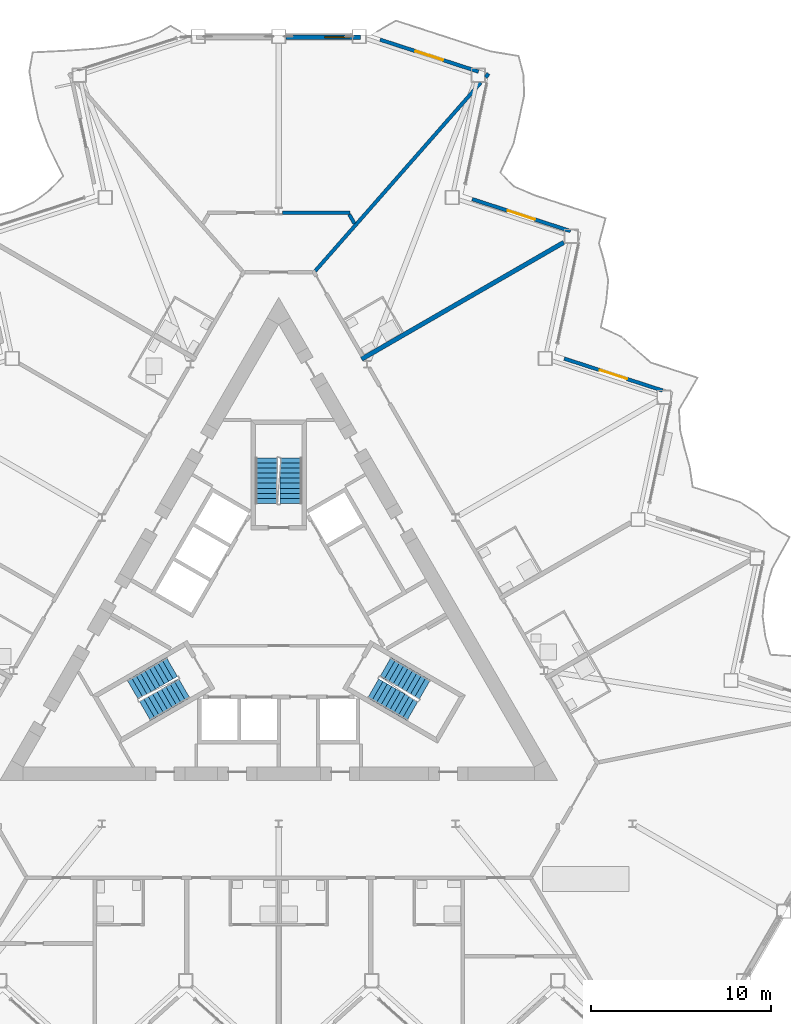
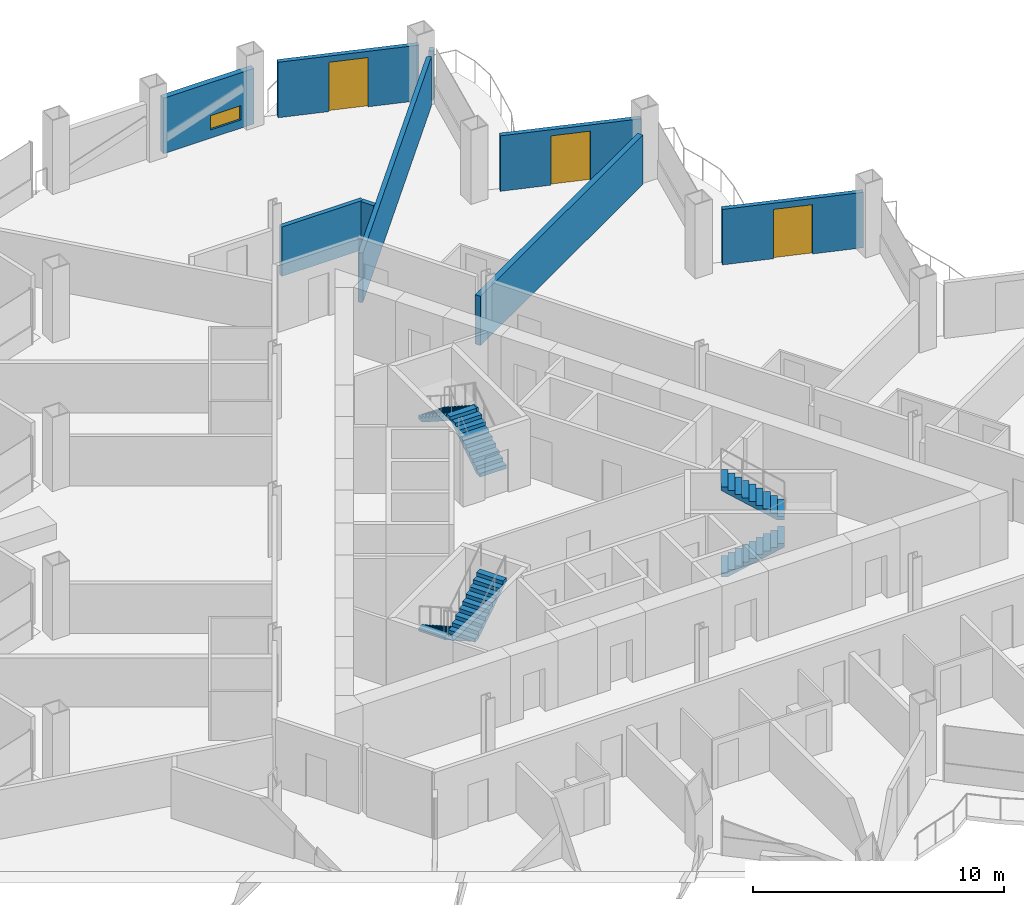
# One storey, part 15 of 23: 9 walls, 6 stair flights, 3 doors, 1 window, 4 openings, 3 elements without a shape of their own.
"""IFC4 building model written with IfcOpenShell, lengths in metres."""

from ifc_helpers import new_model, si_unit, direction, frame, frame_2d, origin, place, context, subcontext, project, spatial, polyline, rectangle, outline, extrude, material, layer, layer_set, type_object, element, fill, aggregate, save


model = new_model("IFC4")

# Units and contexts
model_context = context("Model", 3, precision=1e-05, world=origin(), true_north=direction((0.0, 1.0)))
body_context = subcontext(model_context, "Body", "Model", "MODEL_VIEW")
ifc_project = project(units=[si_unit("LENGTHUNIT", "METRE"), si_unit("AREAUNIT", "SQUARE_METRE"), si_unit("VOLUMEUNIT", "CUBIC_METRE"), si_unit("PLANEANGLEUNIT", "RADIAN"), si_unit("MASSUNIT", "GRAM", prefix="KILO")], contexts=[model_context])

# Site, building, storey
site_placement = place(None, origin())
site = spatial("IfcSite", under=ifc_project, at=site_placement, CompositionType="ELEMENT")
building_placement = place(site_placement, origin())
building = spatial("IfcBuilding", under=site, at=building_placement, Name="Cormorant Prow Tower", CompositionType="ELEMENT")
storey_placement = place(building_placement, frame((0.0, 0.0, 172.800048828125)))
storey = spatial("IfcBuildingStorey", under=building, at=storey_placement, Name="L36", CompositionType="ELEMENT", Elevation=172.800048828125)

# Walls
ifc_material_1 = material(Name="Gypsum board demising wall")
ifc_layer_1 = layer(ifc_material_1, 0.199951171875)
ifc_layer_set_1 = layer_set([ifc_layer_1], Name="Gypsum board demising wall")
wall_type_1 = type_object("IfcWallType", Name="Demising wall 200", PredefinedType="PARTITIONING", material=ifc_layer_set_1)
wall_1_placement = place(storey_placement, frame((2.029052734375, 19.372802734375, 0.0), z_axis=(0.0, 0.0, 1.0), x_axis=(0.66019067586, 0.751098043871, 0.0)))
element("IfcWall", 1, at=wall_1_placement, inside=storey, type_object=wall_type_1, Name="Demising wall", PredefinedType="PARTITIONING", context=body_context, shape_type="SweptSolid", body=[
    extrude(rectangle(XDim=13.938232421875, YDim=0.199951171875, at=frame_2d((6.96923828125, 0.0))), origin(), (0.0, 0.0, 1.0), 2.404052734375),
])
wall_2_placement = place(storey_placement, frame((0.213623046875, 22.597900390625, 0.0), z_axis=(0.0, 0.0, 1.0), x_axis=(1.0, 0.0, 0.0)))
element("IfcWall", 2, at=wall_2_placement, inside=storey, type_object=wall_type_1, Name="Demising wall", PredefinedType="PARTITIONING", context=body_context, shape_type="SweptSolid", body=[
    extrude(rectangle(XDim=3.754638671875, YDim=0.199951171875, at=frame_2d((1.87744140625, 0.0))), origin(), (0.0, 0.0, 1.0), 2.404052734375),
])
wall_3_placement = place(storey_placement, frame((3.918212890625, 22.51123046875, 0.0), z_axis=(0.0, 0.0, 1.0), x_axis=(0.500105011351, -0.865964766963, 0.0)))
element("IfcWall", 3, at=wall_3_placement, inside=storey, type_object=wall_type_1, Name="Demising wall", PredefinedType="PARTITIONING", context=body_context, shape_type="SweptSolid", body=[
    extrude(rectangle(XDim=0.589111328125, YDim=0.199951171875, at=frame_2d((0.29443359375, 0.0))), origin(), (0.0, 0.0, 1.0), 2.404052734375),
])
wall_4_placement = place(storey_placement, frame((11.489990234375, 30.13671875, 0.0), z_axis=(0.0, 0.0, 1.0), x_axis=(0.660272933047, 0.751025734503, 0.0)))
element("IfcWall", 4, at=wall_4_placement, inside=storey, type_object=wall_type_1, Name="Demising wall", PredefinedType="PARTITIONING", context=body_context, shape_type="SweptSolid", body=[
    extrude(rectangle(XDim=0.263671875, YDim=0.199951171875, at=frame_2d((0.1318359375, 0.0))), origin(), (0.0, 0.0, 1.0), 2.404052734375),
])
ifc_material_2 = material(Name="Acoustic gypsum party wall")
ifc_layer_2 = layer(ifc_material_2, 0.25)
ifc_layer_set_2 = layer_set([ifc_layer_2], Name="Acoustic gypsum party wall")
wall_type_2 = type_object("IfcWallType", Name="Suite party wall 250", PredefinedType="PARTITIONING", material=ifc_layer_set_2)
wall_5_placement = place(storey_placement, frame((4.6044921875, 14.47265625, 0.0), z_axis=(0.0, 0.0, 1.0), x_axis=(0.866029765546, 0.499992445131, 0.0)))
element("IfcWall", 5, at=wall_5_placement, inside=storey, type_object=wall_type_2, Name="Suite party wall", PredefinedType="PARTITIONING", context=body_context, shape_type="SweptSolid", body=[
    extrude(rectangle(XDim=12.967529296875, YDim=0.25, at=frame_2d((6.48388671875, 0.0))), origin(), (0.0, 0.0, 1.0), 2.404052734375),
])

# Wall, opening, window
ifc_material_3 = material(Name="Terracotta", Category="masonry")
ifc_layer_3 = layer(ifc_material_3, 0.25)
ifc_layer_set_3 = layer_set([ifc_layer_3], Name="Terracotta")
wall_type_3 = type_object("IfcWallType", Name="Terracotta bay wall 250", PredefinedType="SOLIDWALL", material=ifc_layer_set_3)
wall_6_placement = place(storey_placement, frame((4.555908203125, 32.368896484375, 0.0), z_axis=(0.0, 0.0, 1.0), x_axis=(-1.0, 0.0, 0.0)))
wall_6 = element("IfcWall", 6, at=wall_6_placement, inside=storey, type_object=wall_type_3, Name="Terracotta bay wall N00", PredefinedType="SOLIDWALL", context=body_context, shape_type="SweptSolid", body=[
    extrude(rectangle(XDim=4.156005859375, YDim=0.25, at=frame_2d((2.078125, 0.0))), origin(), (0.0, 0.0, 1.0), 2.700927734375),
])
opening_1_placement = place(wall_6_placement, frame((0.60009765625, 0.0, 0.39990234375)))
opening_1 = element("IfcOpeningElement", 7, at=opening_1_placement, cuts=wall_6, Name="Opening WN4", PredefinedType="OPENING", context=body_context, shape_type="SweptSolid", body=[
    extrude(rectangle(XDim=1.39990234375, YDim=0.699951171875, at=frame_2d((0.699951171875, 0.35009765625))), frame((0.0, 0.135009765625, 0.0), z_axis=(0.0, -1.0, 0.0), x_axis=(1.0, 0.0, 0.0)), (0.0, 0.0, 1.0), 0.27001953125),
])
ifc_material_4 = material(Name="Aluminium 6063-T6", Category="aluminium")
window_type = type_object("IfcWindowType", Name="Corner bay window 1400x700", PartitioningType="SINGLE_PANEL", PredefinedType="WINDOW", material=ifc_material_4)
window_placement = place(opening_1_placement, origin())
window = element("IfcWindow", 8, at=window_placement, inside=storey, type_object=window_type, Name="Corner bay window N00", OverallHeight=0.699951171875, OverallWidth=1.39990234375, PartitioningType="SINGLE_PANEL", PredefinedType="WINDOW", context=body_context, shape_type="SweptSolid", body=[
    extrude(rectangle(XDim=1.39990234375, YDim=0.699951171875, at=frame_2d((0.699951171875, 0.35009765625))), frame((0.0, 0.030029296875, 0.0), z_axis=(0.0, -1.0, 0.0), x_axis=(1.0, 0.0, 0.0)), (0.0, 0.0, 1.0), 0.06005859375),
])
fill(opening_1, window)

# Wall, opening, door
ifc_material_5 = material(Name="Terracotta", Category="masonry")
ifc_layer_4 = layer(ifc_material_5, 0.199951171875)
ifc_layer_set_4 = layer_set([ifc_layer_4], Name="Terracotta")
wall_type_4 = type_object("IfcWallType", Name="Terracotta jamb wall 200", PredefinedType="SOLIDWALL", material=ifc_layer_set_4)
wall_7_placement = place(storey_placement, frame((21.331298828125, 12.725830078125, 0.0), z_axis=(0.0, 0.0, 1.0), x_axis=(-0.95105997304, 0.309006355405, 0.0)))
wall_7 = element("IfcWall", 9, at=wall_7_placement, inside=storey, type_object=wall_type_4, Name="Terracotta jamb wall ENE05", PredefinedType="SOLIDWALL", context=body_context, shape_type="SweptSolid", body=[
    extrude(rectangle(XDim=5.747802734375, YDim=0.199951171875, at=frame_2d((2.8740234375, 0.0))), origin(), (0.0, 0.0, 1.0), 2.700927734375),
])
opening_2_placement = place(wall_7_placement, frame((2.073974609375, 0.0, 0.0)))
opening_2 = element("IfcOpeningElement", 10, at=opening_2_placement, cuts=wall_7, Name="Opening ED36.08", PredefinedType="OPENING", context=body_context, shape_type="SweptSolid", body=[
    extrude(rectangle(XDim=1.60009765625, YDim=2.39990234375, at=frame_2d((0.800048828125, 1.199951171875))), frame((0.0, 0.10986328125, 0.0), z_axis=(0.0, -1.0, 0.0), x_axis=(1.0, 0.0, 0.0)), (0.0, 0.0, 1.0), 0.219970703125),
])
ifc_material_6 = material(Name="Aluminium 6063-T6", Category="aluminium")
door_type = type_object("IfcDoorType", Name="Balcony door 1600x2400", OperationType="DOUBLE_DOOR_SINGLE_SWING", PredefinedType="DOOR", material=ifc_material_6)
door_1_placement = place(opening_2_placement, origin())
door_1 = element("IfcDoor", 11, at=door_1_placement, inside=storey, type_object=door_type, Name="Balcony door ENE05 ED36.08", OperationType="DOUBLE_DOOR_SINGLE_SWING", OverallHeight=2.39990234375, OverallWidth=1.60009765625, PredefinedType="DOOR", context=body_context, shape_type="SweptSolid", body=[
    extrude(rectangle(XDim=1.60009765625, YDim=2.39990234375, at=frame_2d((0.800048828125, 1.199951171875))), frame((0.0, 0.02490234375, 0.0), z_axis=(0.0, -1.0, 0.0), x_axis=(1.0, 0.0, 0.0)), (0.0, 0.0, 1.0), 0.050048828125),
])
fill(opening_2, door_1)

wall_8_placement = place(storey_placement, frame((16.215576171875, 21.58642578125, 0.0), z_axis=(0.0, 0.0, 1.0), x_axis=(-0.95105997304, 0.309006355405, 0.0)))
wall_8 = element("IfcWall", 12, at=wall_8_placement, inside=storey, type_object=wall_type_4, Name="Terracotta jamb wall ENE07", PredefinedType="SOLIDWALL", context=body_context, shape_type="SweptSolid", body=[
    extrude(rectangle(XDim=5.747802734375, YDim=0.199951171875, at=frame_2d((2.8740234375, 0.0))), origin(), (0.0, 0.0, 1.0), 2.700927734375),
])
opening_3_placement = place(wall_8_placement, frame((2.073974609375, 0.0, 0.0)))
opening_3 = element("IfcOpeningElement", 13, at=opening_3_placement, cuts=wall_8, Name="Opening ED36.09", PredefinedType="OPENING", context=body_context, shape_type="SweptSolid", body=[
    extrude(rectangle(XDim=1.60009765625, YDim=2.39990234375, at=frame_2d((0.800048828125, 1.199951171875))), frame((0.0, 0.10986328125, 0.0), z_axis=(0.0, -1.0, 0.0), x_axis=(1.0, 0.0, 0.0)), (0.0, 0.0, 1.0), 0.219970703125),
])
door_2_placement = place(opening_3_placement, origin())
door_2 = element("IfcDoor", 14, at=door_2_placement, inside=storey, type_object=door_type, Name="Balcony door ENE07 ED36.09", OperationType="DOUBLE_DOOR_SINGLE_SWING", OverallHeight=2.39990234375, OverallWidth=1.60009765625, PredefinedType="DOOR", context=body_context, shape_type="SweptSolid", body=[
    extrude(rectangle(XDim=1.60009765625, YDim=2.39990234375, at=frame_2d((0.800048828125, 1.199951171875))), frame((0.0, 0.02490234375, 0.0), z_axis=(0.0, -1.0, 0.0), x_axis=(1.0, 0.0, 0.0)), (0.0, 0.0, 1.0), 0.050048828125),
])
fill(opening_3, door_2)

wall_9_placement = place(storey_placement, frame((11.099853515625, 30.447021484375, 0.0), z_axis=(0.0, 0.0, 1.0), x_axis=(-0.95105997304, 0.309006355405, 0.0)))
wall_9 = element("IfcWall", 15, at=wall_9_placement, inside=storey, type_object=wall_type_4, Name="Terracotta jamb wall ENE09", PredefinedType="SOLIDWALL", context=body_context, shape_type="SweptSolid", body=[
    extrude(rectangle(XDim=5.747802734375, YDim=0.199951171875, at=frame_2d((2.8740234375, 0.0))), origin(), (0.0, 0.0, 1.0), 2.700927734375),
])
opening_4_placement = place(wall_9_placement, frame((2.073974609375, 0.0, 0.0)))
opening_4 = element("IfcOpeningElement", 16, at=opening_4_placement, cuts=wall_9, Name="Opening ED36.10", PredefinedType="OPENING", context=body_context, shape_type="SweptSolid", body=[
    extrude(rectangle(XDim=1.60009765625, YDim=2.39990234375, at=frame_2d((0.800048828125, 1.199951171875))), frame((0.0, 0.10986328125, 0.0), z_axis=(0.0, -1.0, 0.0), x_axis=(1.0, 0.0, 0.0)), (0.0, 0.0, 1.0), 0.219970703125),
])
door_3_placement = place(opening_4_placement, origin())
door_3 = element("IfcDoor", 17, at=door_3_placement, inside=storey, type_object=door_type, Name="Balcony door ENE09 ED36.10", OperationType="DOUBLE_DOOR_SINGLE_SWING", OverallHeight=2.39990234375, OverallWidth=1.60009765625, PredefinedType="DOOR", context=body_context, shape_type="SweptSolid", body=[
    extrude(rectangle(XDim=1.60009765625, YDim=2.39990234375, at=frame_2d((0.800048828125, 1.199951171875))), frame((0.0, 0.02490234375, 0.0), z_axis=(0.0, -1.0, 0.0), x_axis=(1.0, 0.0, 0.0)), (0.0, 0.0, 1.0), 0.050048828125),
])
fill(opening_4, door_3)

# Stair, stair flights
ifc_material_7 = material(Name="Exit stair 20 risers")
stair_type = type_object("IfcStairType", Name="Exit stair 20 risers", PredefinedType="HALF_TURN_STAIR", material=ifc_material_7)
stair_1_placement = place(storey_placement, origin())
stair_1 = element("IfcStair", 18, at=stair_1_placement, inside=storey, type_object=stair_type, Name="L36 Exit stair ST1", PredefinedType="HALF_TURN_STAIR")
ifc_material_8 = material(Name="Concrete 5000 psi", Category="concrete")
stair_flight_type = type_object("IfcStairFlightType", Name="Stair flight 1219", PredefinedType="STRAIGHT", material=ifc_material_8)
stair_flight_1_placement = place(storey_placement, frame((-5.93310546875, -2.635009765625, 0.0), z_axis=(0.0, 0.0, 1.0), x_axis=(-0.866025403784, -0.5, 0.0)))
stair_flight_1 = element("IfcStairFlight", 19, at=stair_flight_1_placement, type_object=stair_flight_type, Name="ST1 flight 1", NumberOfRisers=10, NumberOfTreads=9, PredefinedType="STRAIGHT", RiserHeight=0.18, TreadLength=0.28, context=body_context, shape_type="SweptSolid", body=[
    extrude(outline(polyline([(0.0, 0.0), (0.0, 0.179931640625), (0.280029296875, 0.179931640625), (0.280029296875, 0.360107421875), (0.56005859375, 0.360107421875), (0.56005859375, 0.5400390625), (0.840087890625, 0.5400390625), (0.840087890625, 0.719970703125), (1.1201171875, 0.719970703125), (1.1201171875, 0.89990234375), (1.39990234375, 0.89990234375), (1.39990234375, 1.080078125), (1.679931640625, 1.080078125), (1.679931640625, 1.260009765625), (1.9599609375, 1.260009765625), (1.9599609375, 1.43994140625), (2.239990234375, 1.43994140625), (2.239990234375, 1.6201171875), (2.52001953125, 1.6201171875), (2.52001953125, 1.800048828125), (2.52001953125, 1.44189453125), (0.277099609375, 0.0), (0.0, 0.0)])), frame((0.0, 0.609375, 0.0), z_axis=(0.0, -1.0, 0.0), x_axis=(1.0, 0.0, 0.0)), (0.0, 0.0, 1.0), 1.218994140625),
])
stair_flight_2_placement = place(storey_placement, frame((-7.43115234375, -5.080810546875, 1.800048828125), z_axis=(0.0, 0.0, 1.0), x_axis=(0.866025403784, 0.5, 0.0)))
stair_flight_2 = element("IfcStairFlight", 20, at=stair_flight_2_placement, type_object=stair_flight_type, Name="ST1 flight 2", NumberOfRisers=10, NumberOfTreads=9, PredefinedType="STRAIGHT", RiserHeight=0.18, TreadLength=0.28, context=body_context, shape_type="SweptSolid", body=[
    extrude(outline(polyline([(0.0, 0.0), (0.0, 0.179931640625), (0.280029296875, 0.179931640625), (0.280029296875, 0.360107421875), (0.56005859375, 0.360107421875), (0.56005859375, 0.5400390625), (0.840087890625, 0.5400390625), (0.840087890625, 0.719970703125), (1.1201171875, 0.719970703125), (1.1201171875, 0.89990234375), (1.39990234375, 0.89990234375), (1.39990234375, 1.080078125), (1.679931640625, 1.080078125), (1.679931640625, 1.260009765625), (1.9599609375, 1.260009765625), (1.9599609375, 1.43994140625), (2.239990234375, 1.43994140625), (2.239990234375, 1.6201171875), (2.52001953125, 1.6201171875), (2.52001953125, 1.800048828125), (2.52001953125, 1.44189453125), (0.277099609375, 0.0), (0.0, 0.0)])), frame((0.0, 0.609375, 0.0), z_axis=(0.0, -1.0, 0.0), x_axis=(1.0, 0.0, 0.0)), (0.0, 0.0, 1.0), 1.218994140625),
])
aggregate(stair_1, [stair_flight_1, stair_flight_2])

stair_2_placement = place(storey_placement, origin())
stair_2 = element("IfcStair", 21, at=stair_2_placement, inside=storey, type_object=stair_type, Name="L36 Exit stair ST2", PredefinedType="HALF_TURN_STAIR")
stair_flight_3_placement = place(storey_placement, frame((5.24853515625, -3.82080078125, 0.0), z_axis=(0.0, 0.0, 1.0), x_axis=(0.866025403784, -0.5, 0.0)))
stair_flight_3 = element("IfcStairFlight", 22, at=stair_flight_3_placement, type_object=stair_flight_type, Name="ST2 flight 1", NumberOfRisers=10, NumberOfTreads=9, PredefinedType="STRAIGHT", RiserHeight=0.18, TreadLength=0.28, context=body_context, shape_type="SweptSolid", body=[
    extrude(outline(polyline([(0.0, 0.0), (0.0, 0.179931640625), (0.280029296875, 0.179931640625), (0.280029296875, 0.360107421875), (0.56005859375, 0.360107421875), (0.56005859375, 0.5400390625), (0.840087890625, 0.5400390625), (0.840087890625, 0.719970703125), (1.1201171875, 0.719970703125), (1.1201171875, 0.89990234375), (1.39990234375, 0.89990234375), (1.39990234375, 1.080078125), (1.679931640625, 1.080078125), (1.679931640625, 1.260009765625), (1.9599609375, 1.260009765625), (1.9599609375, 1.43994140625), (2.239990234375, 1.43994140625), (2.239990234375, 1.6201171875), (2.52001953125, 1.6201171875), (2.52001953125, 1.800048828125), (2.52001953125, 1.44189453125), (0.277099609375, 0.0), (0.0, 0.0)])), frame((0.0, 0.609375, 0.0), z_axis=(0.0, -1.0, 0.0), x_axis=(1.0, 0.0, 0.0)), (0.0, 0.0, 1.0), 1.218994140625),
])
stair_flight_4_placement = place(storey_placement, frame((8.115478515625, -3.89501953125, 1.800048828125), z_axis=(0.0, 0.0, 1.0), x_axis=(-0.866025403784, 0.5, 0.0)))
stair_flight_4 = element("IfcStairFlight", 23, at=stair_flight_4_placement, type_object=stair_flight_type, Name="ST2 flight 2", NumberOfRisers=10, NumberOfTreads=9, PredefinedType="STRAIGHT", RiserHeight=0.18, TreadLength=0.28, context=body_context, shape_type="SweptSolid", body=[
    extrude(outline(polyline([(0.0, 0.0), (0.0, 0.179931640625), (0.280029296875, 0.179931640625), (0.280029296875, 0.360107421875), (0.56005859375, 0.360107421875), (0.56005859375, 0.5400390625), (0.840087890625, 0.5400390625), (0.840087890625, 0.719970703125), (1.1201171875, 0.719970703125), (1.1201171875, 0.89990234375), (1.39990234375, 0.89990234375), (1.39990234375, 1.080078125), (1.679931640625, 1.080078125), (1.679931640625, 1.260009765625), (1.9599609375, 1.260009765625), (1.9599609375, 1.43994140625), (2.239990234375, 1.43994140625), (2.239990234375, 1.6201171875), (2.52001953125, 1.6201171875), (2.52001953125, 1.800048828125), (2.52001953125, 1.44189453125), (0.277099609375, 0.0), (0.0, 0.0)])), frame((0.0, 0.609375, 0.0), z_axis=(0.0, -1.0, 0.0), x_axis=(1.0, 0.0, 0.0)), (0.0, 0.0, 1.0), 1.218994140625),
])
aggregate(stair_2, [stair_flight_3, stair_flight_4])

stair_3_placement = place(storey_placement, origin())
stair_3 = element("IfcStair", 24, at=stair_3_placement, inside=storey, type_object=stair_type, Name="L36 Exit stair ST3", PredefinedType="HALF_TURN_STAIR")
stair_flight_5_placement = place(storey_placement, frame((0.6845703125, 6.455810546875, 0.0), z_axis=(0.0, 0.0, 1.0), x_axis=(0.0, 1.0, 0.0)))
stair_flight_5 = element("IfcStairFlight", 25, at=stair_flight_5_placement, type_object=stair_flight_type, Name="ST3 flight 1", NumberOfRisers=10, NumberOfTreads=9, PredefinedType="STRAIGHT", RiserHeight=0.18, TreadLength=0.28, context=body_context, shape_type="SweptSolid", body=[
    extrude(outline(polyline([(0.0, 0.0), (0.0, 0.179931640625), (0.280029296875, 0.179931640625), (0.280029296875, 0.360107421875), (0.56005859375, 0.360107421875), (0.56005859375, 0.5400390625), (0.840087890625, 0.5400390625), (0.840087890625, 0.719970703125), (1.1201171875, 0.719970703125), (1.1201171875, 0.89990234375), (1.39990234375, 0.89990234375), (1.39990234375, 1.080078125), (1.679931640625, 1.080078125), (1.679931640625, 1.260009765625), (1.9599609375, 1.260009765625), (1.9599609375, 1.43994140625), (2.239990234375, 1.43994140625), (2.239990234375, 1.6201171875), (2.52001953125, 1.6201171875), (2.52001953125, 1.800048828125), (2.52001953125, 1.44189453125), (0.277099609375, 0.0), (0.0, 0.0)])), frame((0.0, 0.609375, 0.0), z_axis=(0.0, -1.0, 0.0), x_axis=(1.0, 0.0, 0.0)), (0.0, 0.0, 1.0), 1.218994140625),
])
stair_flight_6_placement = place(storey_placement, frame((-0.6845703125, 8.975830078125, 1.800048828125), z_axis=(0.0, 0.0, 1.0), x_axis=(0.0, -1.0, 0.0)))
stair_flight_6 = element("IfcStairFlight", 26, at=stair_flight_6_placement, type_object=stair_flight_type, Name="ST3 flight 2", NumberOfRisers=10, NumberOfTreads=9, PredefinedType="STRAIGHT", RiserHeight=0.18, TreadLength=0.28, context=body_context, shape_type="SweptSolid", body=[
    extrude(outline(polyline([(0.0, 0.0), (0.0, 0.179931640625), (0.280029296875, 0.179931640625), (0.280029296875, 0.360107421875), (0.56005859375, 0.360107421875), (0.56005859375, 0.5400390625), (0.840087890625, 0.5400390625), (0.840087890625, 0.719970703125), (1.1201171875, 0.719970703125), (1.1201171875, 0.89990234375), (1.39990234375, 0.89990234375), (1.39990234375, 1.080078125), (1.679931640625, 1.080078125), (1.679931640625, 1.260009765625), (1.9599609375, 1.260009765625), (1.9599609375, 1.43994140625), (2.239990234375, 1.43994140625), (2.239990234375, 1.6201171875), (2.52001953125, 1.6201171875), (2.52001953125, 1.800048828125), (2.52001953125, 1.44189453125), (0.277099609375, 0.0), (0.0, 0.0)])), frame((0.0, 0.609375, 0.0), z_axis=(0.0, -1.0, 0.0), x_axis=(1.0, 0.0, 0.0)), (0.0, 0.0, 1.0), 1.218994140625),
])
aggregate(stair_3, [stair_flight_5, stair_flight_6])

save(model, "model.ifc")
